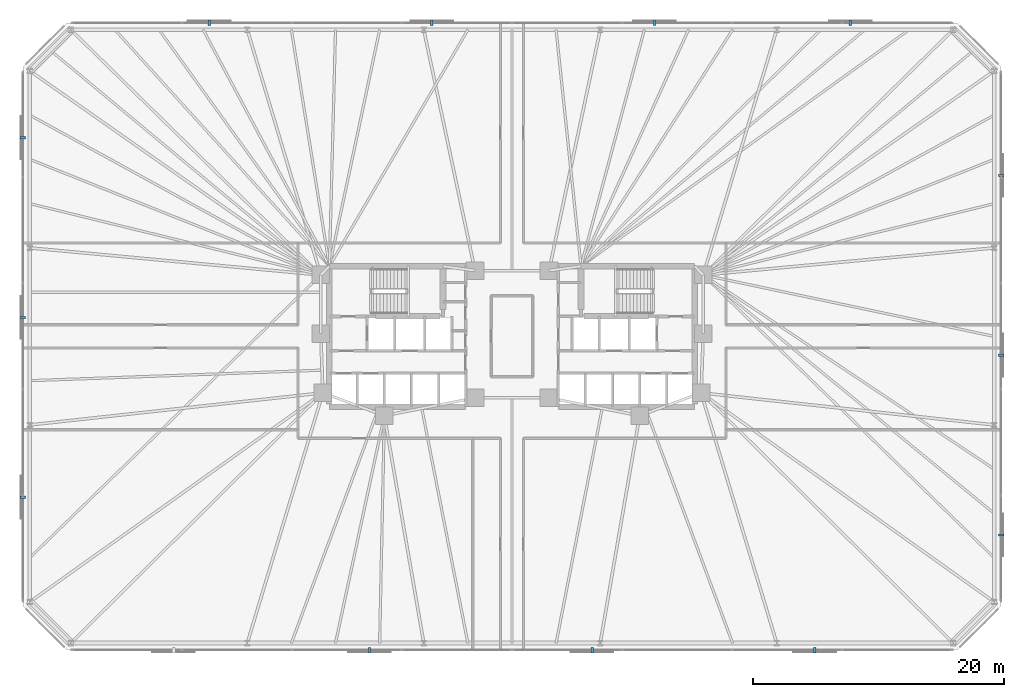
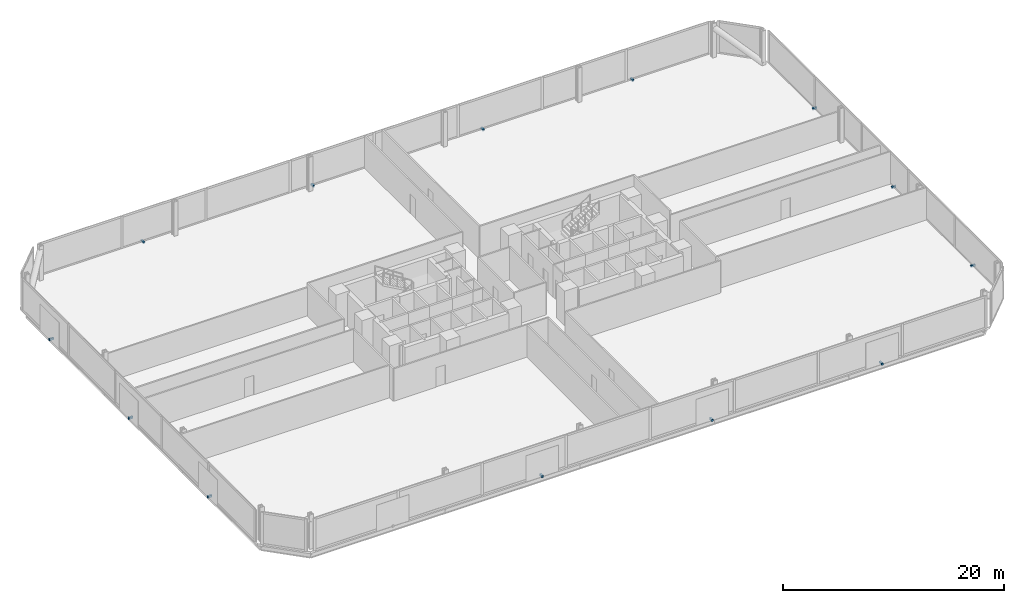
# One storey, part 15 of 16: 13 discrete accessories.
"""IFC4 building model written with IfcOpenShell, lengths in metres."""

from ifc_helpers import new_model, si_unit, direction, frame, origin, origin_2d, place, context, subcontext, project, spatial, rectangle, extrude, material, type_object, element, save


model = new_model("IFC4")

# Units and contexts
model_context = context("Model", 3, precision=1e-05, world=origin(), true_north=direction((0.0, 1.0)))
body_context = subcontext(model_context, "Body", "Model", "MODEL_VIEW")
ifc_project = project(units=[si_unit("LENGTHUNIT", "METRE"), si_unit("AREAUNIT", "SQUARE_METRE"), si_unit("VOLUMEUNIT", "CUBIC_METRE"), si_unit("PLANEANGLEUNIT", "RADIAN"), si_unit("MASSUNIT", "GRAM", prefix="KILO")], contexts=[model_context])

# Site, building, storey
site_placement = place(None, origin())
site = spatial("IfcSite", under=ifc_project, at=site_placement, CompositionType="ELEMENT")
building_placement = place(site_placement, origin())
building = spatial("IfcBuilding", under=site, at=building_placement, Name="Menara Jurai Vektor", CompositionType="ELEMENT")
storey_placement = place(building_placement, frame((0.0, 0.0, 67.39990234375)))
storey = spatial("IfcBuildingStorey", under=building, at=storey_placement, Name="L16", CompositionType="ELEMENT", Elevation=67.39990234375)

# Discrete accessories
ifc_material = material(Name="Steel S355", Category="steel")
discrete_accessory_type = type_object("IfcDiscreteAccessoryType", Name="ENV-ACC-BRACKET", PredefinedType="BRACKET", material=ifc_material)
for number, where, z_axis, x_axis, name in (
    (1, (-11.360107421875, -25.010009765625, -0.1298828125), (0.0, 0.0, 1.0), (1.0, 0.0, 0.0), "Solar Screen Stand-Off Bracket L16-S02"),
    (2, (6.389892578125, -25.010009765625, -0.1298828125), (0.0, 0.0, 1.0), (1.0, 0.0, 0.0), "Solar Screen Stand-Off Bracket L16-S03"),
    (3, (24.139892578125, -25.010009765625, -0.1298828125), (0.0, 0.0, 1.0), (1.0, 0.0, 0.0), "Solar Screen Stand-Off Bracket L16-S04"),
    (4, (39.010009765625, -15.83837890625, -0.1298828125), (0.0, 0.0, 1.0), (0.0, 1.0, 0.0), "Solar Screen Stand-Off Bracket L16-S05"),
    (5, (39.010009765625, -1.5048828125, -0.1298828125), (0.0, 0.0, 1.0), (0.0, 1.0, 0.0), "Solar Screen Stand-Off Bracket L16-S06"),
    (6, (39.010009765625, 12.828369140625, -0.1298828125), (0.0, 0.0, 1.0), (0.0, 1.0, 0.0), "Solar Screen Stand-Off Bracket L16-S07"),
    (7, (26.97998046875, 25.010009765625, -0.1298828125), (0.0, 0.0, 1.0), (-1.0, 0.0, 0.0), "Solar Screen Stand-Off Bracket L16-S08"),
    (8, (11.360107421875, 25.010009765625, -0.1298828125), (0.0, 0.0, 1.0), (-1.0, 0.0, 0.0), "Solar Screen Stand-Off Bracket L16-S09"),
    (9, (-6.389892578125, 25.010009765625, -0.1298828125), (0.0, 0.0, 1.0), (-1.0, 0.0, 0.0), "Solar Screen Stand-Off Bracket L16-S10"),
    (10, (-24.139892578125, 25.010009765625, -0.1298828125), (0.0, 0.0, 1.0), (-1.0, 0.0, 0.0), "Solar Screen Stand-Off Bracket L16-S11"),
    (11, (-39.010009765625, 15.83837890625, -0.1298828125), (0.0, 0.0, 1.0), (0.0, -1.0, 0.0), "Solar Screen Stand-Off Bracket L16-S12"),
    (12, (-39.010009765625, 1.5048828125, -0.1298828125), (0.0, 0.0, 1.0), (0.0, -1.0, 0.0), "Solar Screen Stand-Off Bracket L16-S13"),
    (13, (-39.010009765625, -12.828369140625, -0.1298828125), (0.0, 0.0, 1.0), (0.0, -1.0, 0.0), "Solar Screen Stand-Off Bracket L16-S14"),
):
    element("IfcDiscreteAccessory", number, at=place(storey_placement, frame(where, z_axis=z_axis, x_axis=x_axis)), inside=storey, type_object=discrete_accessory_type, Name=name, PredefinedType="BRACKET", context=body_context, shape_type="SweptSolid", body=[
        extrude(rectangle(XDim=0.179931640625, YDim=0.43994140625, at=origin_2d()), origin(), (0.0, 0.0, 1.0), 0.219970703125),
    ])

save(model, "model.ifc")
